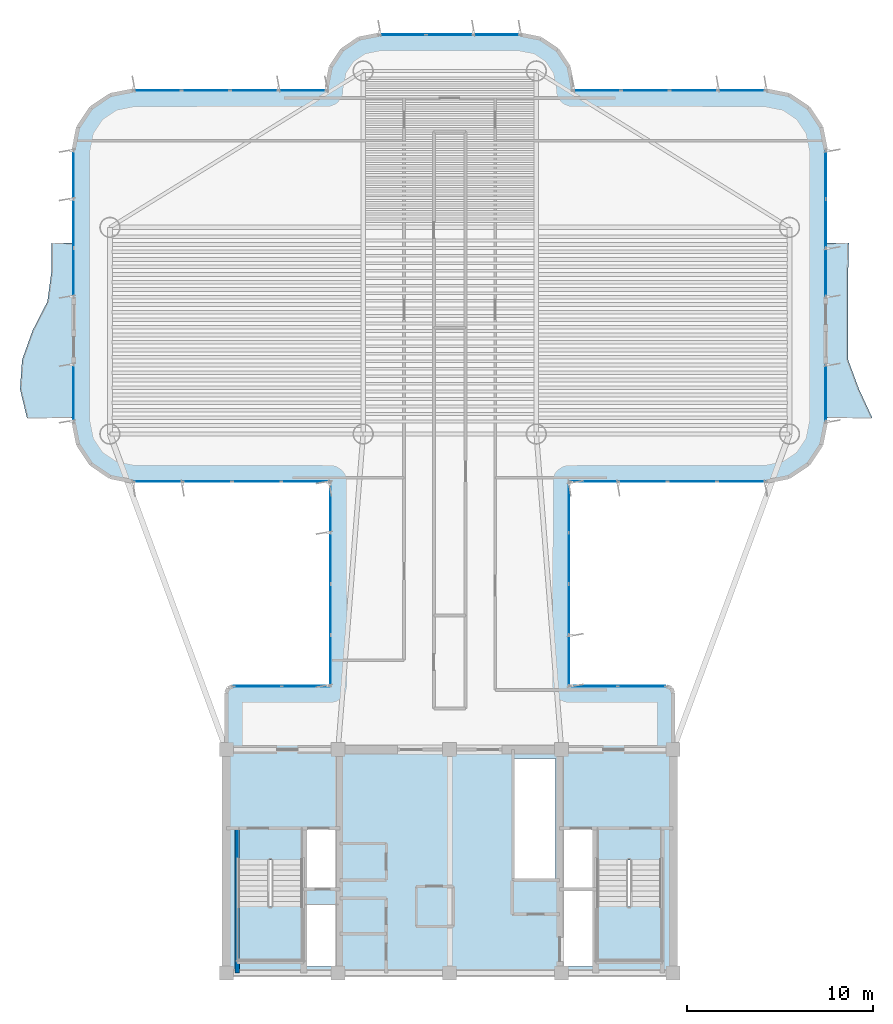
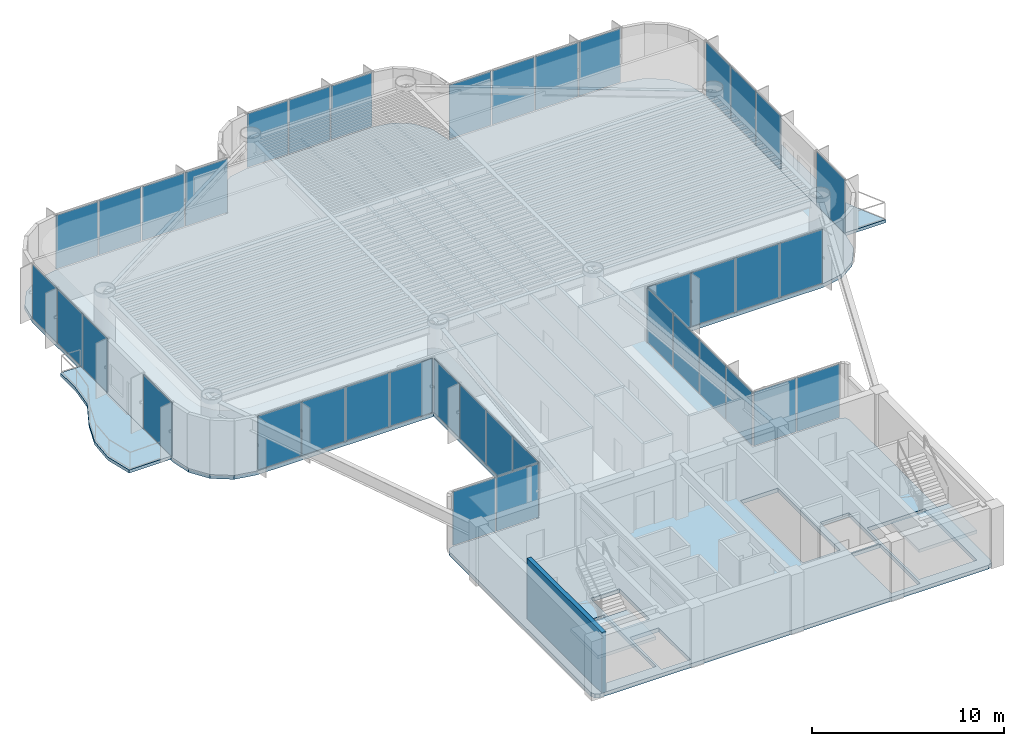
# One storey, part 8 of 13: 39 plates, 5 slabs, 1 wall, 15 elements without a shape of their own.
"""IFC4 building model written with IfcOpenShell, lengths in metres."""

from ifc_helpers import new_model, si_unit, direction, frame, frame_2d, origin, origin_2d, place, context, subcontext, project, spatial, polyline, rectangle, outline, extrude, source, transform, mapped, material, layer, layer_set, type_object, element, aggregate, save


model = new_model("IFC4")

# Units and contexts
model_context = context("Model", 3, precision=1e-05, world=origin(), true_north=direction((0.0, 1.0)))
body_context = subcontext(model_context, "Body", "Model", "MODEL_VIEW")
ifc_project = project(units=[si_unit("LENGTHUNIT", "METRE"), si_unit("AREAUNIT", "SQUARE_METRE"), si_unit("VOLUMEUNIT", "CUBIC_METRE"), si_unit("PLANEANGLEUNIT", "RADIAN"), si_unit("MASSUNIT", "GRAM", prefix="KILO")], contexts=[model_context])

# Site, building, storey
site_placement = place(None, origin())
site = spatial("IfcSite", under=ifc_project, at=site_placement, CompositionType="ELEMENT")
building_placement = place(site_placement, origin())
building = spatial("IfcBuilding", under=site, at=building_placement, Name="Brelvock Crest Care Tower", CompositionType="ELEMENT")
storey_placement = place(building_placement, frame((0.0, 0.0, 190.43994140625)))
storey = spatial("IfcBuildingStorey", under=building, at=storey_placement, Name="L48", CompositionType="ELEMENT", Elevation=190.43994140625)

# Slabs
ifc_material_1 = material(Name="Concrete N50 (50 MPa)", Category="concrete")
ifc_layer_1 = layer(ifc_material_1, 0.25, Name="SLB-FL3")
ifc_layer_set_1 = layer_set([ifc_layer_1], Name="Concrete N50 (50 MPa)")
slab_type_1 = type_object("IfcSlabType", Name="SLB-FL3", PredefinedType="FLOOR", material=ifc_layer_set_1)
slab_1_placement = place(storey_placement, frame((0.0, 0.0, -0.25)))
element("IfcSlab", 1, at=slab_1_placement, inside=storey, type_object=slab_type_1, Name="L48 Main Structural Slab", PredefinedType="FLOOR", context=body_context, shape_type="SweptSolid", body=[
    extrude(outline(polyline([(47.64990234375, 21.39990234375), (42.39990234375, 21.39990234375), (42.39990234375, 32.39990234375), (53.0, 32.39990234375), (54.224609375, 32.6435546875), (55.2626953125, 33.33740234375), (55.956298828125, 34.37548828125), (56.199951171875, 35.60009765625), (56.199951171875, 50.199951171875), (55.956298828125, 51.424560546875), (55.2626953125, 52.462646484375), (54.224609375, 53.156494140625), (53.0, 53.39990234375), (42.60009765625, 53.39990234375), (42.60009765625, 53.60009765625), (42.386962890625, 54.67138671875), (41.77978515625, 55.579833984375), (40.87158203125, 56.18701171875), (39.800048828125, 56.39990234375), (32.199951171875, 56.39990234375), (31.12841796875, 56.18701171875), (30.22021484375, 55.579833984375), (29.613037109375, 54.67138671875), (29.39990234375, 53.60009765625), (29.39990234375, 53.39990234375), (19.0, 53.39990234375), (17.775390625, 53.156494140625), (16.7373046875, 52.462646484375), (16.043701171875, 51.424560546875), (15.800048828125, 50.199951171875), (15.800048828125, 35.60009765625), (16.043701171875, 34.37548828125), (16.7373046875, 33.33740234375), (17.775390625, 32.6435546875), (19.0, 32.39990234375), (29.60009765625, 32.39990234375), (29.60009765625, 21.39990234375), (24.35009765625, 21.39990234375), (24.1025390625, 21.297607421875), (24.0, 21.050048828125), (24.0, 6.35009765625), (24.1025390625, 6.1025390625), (24.35009765625, 6.0), (47.64990234375, 6.0), (47.8974609375, 6.1025390625), (48.0, 6.35009765625), (48.0, 21.050048828125), (47.8974609375, 21.297607421875), (47.64990234375, 21.39990234375)]), holes=[polyline([(28.239990234375, 10.580078125), (29.97998046875, 10.580078125), (29.97998046875, 13.739990234375), (28.239990234375, 13.739990234375), (28.239990234375, 10.580078125)]), polyline([(42.02001953125, 10.580078125), (43.760009765625, 10.580078125), (43.760009765625, 13.739990234375), (42.02001953125, 13.739990234375), (42.02001953125, 10.580078125)]), polyline([(28.239990234375, 6.340087890625), (29.97998046875, 6.340087890625), (29.97998046875, 9.64990234375), (28.239990234375, 9.64990234375), (28.239990234375, 6.340087890625)]), polyline([(24.6298828125, 12.080078125), (24.6298828125, 6.699951171875), (28.110107421875, 6.699951171875), (28.110107421875, 12.080078125), (24.6298828125, 12.080078125)]), polyline([(43.889892578125, 12.080078125), (43.889892578125, 6.699951171875), (47.3701171875, 6.699951171875), (47.3701171875, 12.080078125), (43.889892578125, 12.080078125)]), polyline([(42.02001953125, 6.340087890625), (43.760009765625, 6.340087890625), (43.760009765625, 10.5), (42.02001953125, 10.5), (42.02001953125, 6.340087890625)]), polyline([(39.429931640625, 11.030029296875), (41.669921875, 11.030029296875), (41.669921875, 17.52001953125), (39.429931640625, 17.52001953125), (39.429931640625, 11.030029296875)])]), origin(), (0.0, 0.0, 1.0), 0.25),
])
ifc_layer_2 = layer(ifc_material_1, 0.199951171875, Name="SLB-WB2")
ifc_layer_set_2 = layer_set([ifc_layer_2], Name="Concrete N50 (50 MPa)")
slab_type_2 = type_object("IfcSlabType", Name="SLB-WB2", PredefinedType="FLOOR", material=ifc_layer_set_2)
slab_2_placement = place(storey_placement, frame((0.0, 0.0, -0.199951171875)))
element("IfcSlab", 2, at=slab_2_placement, inside=storey, type_object=slab_type_2, Name="L48 W Sinusoidal Wave Balcony Slab", PredefinedType="FLOOR", context=body_context, shape_type="SweptSolid", body=[
    extrude(outline(polyline([(15.800048828125, 45.199951171875), (14.60009765625, 45.199951171875), (14.60009765625, 43.63330078125), (14.39111328125, 42.066650390625), (13.59033203125, 40.5), (13.031494140625, 38.933349609375), (12.91943359375, 37.36669921875), (13.29541015625, 35.800048828125), (15.800048828125, 35.800048828125), (15.800048828125, 45.199951171875)])), origin(), (0.0, 0.0, 1.0), 0.199951171875),
])
slab_3_placement = place(storey_placement, frame((0.0, 0.0, -0.199951171875)))
element("IfcSlab", 3, at=slab_3_placement, inside=storey, type_object=slab_type_2, Name="L48 E Sinusoidal Wave Balcony Slab", PredefinedType="FLOOR", context=body_context, shape_type="SweptSolid", body=[
    extrude(outline(polyline([(56.199951171875, 35.800048828125), (58.70458984375, 35.800048828125), (57.978515625, 37.36669921875), (57.39990234375, 38.933349609375), (57.39990234375, 40.5), (57.39990234375, 42.066650390625), (57.39990234375, 43.63330078125), (57.434814453125, 45.199951171875), (56.199951171875, 45.199951171875), (56.199951171875, 35.800048828125)])), origin(), (0.0, 0.0, 1.0), 0.199951171875),
])

# Stair, slab
ifc_material_2 = material(Name="Concrete N40 (40 MPa)", Category="concrete")
stair_type = type_object("IfcStairType", Name="ST-CORE1", PredefinedType="HALF_TURN_STAIR", material=ifc_material_2)
stair_1_placement = place(storey_placement, origin())
stair_1 = element("IfcStair", 4, at=stair_1_placement, inside=storey, type_object=stair_type, Name="L48 Fire-Isolated Core Stair ST-1", PredefinedType="HALF_TURN_STAIR")
ifc_layer_3 = layer(ifc_material_2, 0.199951171875, Name="STL-1")
ifc_layer_set_3 = layer_set([ifc_layer_3], Name="Concrete N40 (40 MPa)")
slab_type_3 = type_object("IfcSlabType", Name="STL-1", PredefinedType="LANDING", material=ifc_layer_set_3)
slab_4_placement = place(storey_placement, frame((0.0, 0.0, 1.68994140625)))
slab_4 = element("IfcSlab", 5, at=slab_4_placement, type_object=slab_type_3, Name="ST-1 landing 1", PredefinedType="LANDING", context=body_context, shape_type="SweptSolid", body=[
    extrude(outline(polyline([(24.6298828125, 9.56005859375), (24.6298828125, 6.699951171875), (28.110107421875, 6.699951171875), (28.110107421875, 9.56005859375), (24.6298828125, 9.56005859375)])), origin(), (0.0, 0.0, 1.0), 0.2001953125),
])
aggregate(stair_1, [slab_4])

stair_2_placement = place(storey_placement, origin())
stair_2 = element("IfcStair", 6, at=stair_2_placement, inside=storey, type_object=stair_type, Name="L48 Fire-Isolated Core Stair ST-2", PredefinedType="HALF_TURN_STAIR")
slab_5_placement = place(storey_placement, frame((0.0, 0.0, 1.68994140625)))
slab_5 = element("IfcSlab", 7, at=slab_5_placement, type_object=slab_type_3, Name="ST-2 landing 1", PredefinedType="LANDING", context=body_context, shape_type="SweptSolid", body=[
    extrude(outline(polyline([(43.889892578125, 9.56005859375), (43.889892578125, 6.699951171875), (47.3701171875, 6.699951171875), (47.3701171875, 9.56005859375), (43.889892578125, 9.56005859375)])), origin(), (0.0, 0.0, 1.0), 0.2001953125),
])
aggregate(stair_2, [slab_5])

# Curtain wall, plates
ifc_material_3 = material(Name="Dark Glass Double Glazed Low-E", Category="glass")
ifc_layer_4 = layer(ifc_material_3, 0.22509765625, Name="CWS-4")
ifc_layer_set_4 = layer_set([ifc_layer_4], Name="Dark Glass Double Glazed Low-E")
curtain_wall_type = type_object("IfcCurtainWallType", Name="CWS-4", PredefinedType="NOTDEFINED", material=ifc_layer_set_4)
curtain_wall_1_placement = place(storey_placement, origin())
curtain_wall_1 = element("IfcCurtainWall", 8, at=curtain_wall_1_placement, inside=storey, type_object=curtain_wall_type, Name="L48 Curtain Wall E10", PredefinedType="NOTDEFINED")
ifc_layer_5 = layer(ifc_material_3, 0.0380859375, Name="CWP-V2")
ifc_layer_set_5 = layer_set([ifc_layer_5], Name="Dark Glass Double Glazed Low-E")
plate_type = type_object("IfcPlateType", Name="CWP-V2", PredefinedType="CURTAIN_PANEL", material=ifc_layer_set_5)
shared_shape_1 = source(origin(), body_context, "Body", "SweptSolid", [
    extrude(rectangle(XDim=2.534912109375, YDim=0.035888671875, at=origin_2d()), origin(), (0.0, 0.0, 1.0), 3.409912109375),
])
plate_1_placement = place(storey_placement, frame((25.677490234375, 21.39990234375, 0.06005859375), z_axis=(0.0, 0.0, 1.0), x_axis=(1.0, 0.0, 0.0)))
plate_1 = element("IfcPlate", 9, at=plate_1_placement, type_object=plate_type, Name="CW-4 panel 1.1", PredefinedType="CURTAIN_PANEL", context=body_context, shape_type="MappedRepresentation", body=[
    mapped(shared_shape_1, transform((0.0, 0.0, 0.0), x_axis=(1.0, 0.0, 0.0), y_axis=(0.0, 1.0, 0.0), z_axis=(0.0, 0.0, 1.0), scale=1.0)),
])
plate_2_placement = place(storey_placement, frame((28.2724609375, 21.39990234375, 0.06005859375), z_axis=(0.0, 0.0, 1.0), x_axis=(1.0, 0.0, 0.0)))
plate_2 = element("IfcPlate", 10, at=plate_2_placement, type_object=plate_type, Name="CW-4 panel 2.1", PredefinedType="CURTAIN_PANEL", context=body_context, shape_type="MappedRepresentation", body=[
    mapped(shared_shape_1, transform((0.0, 0.0, 0.0), x_axis=(1.0, 0.0, 0.0), y_axis=(0.0, 1.0, 0.0), z_axis=(0.0, 0.0, 1.0), scale=1.0)),
])
aggregate(curtain_wall_1, [plate_1, plate_2])

curtain_wall_2_placement = place(storey_placement, origin())
curtain_wall_2 = element("IfcCurtainWall", 11, at=curtain_wall_2_placement, inside=storey, type_object=curtain_wall_type, Name="L48 Curtain Wall E46", PredefinedType="NOTDEFINED")
plate_3_placement = place(storey_placement, frame((43.7275390625, 21.39990234375, 0.06005859375), z_axis=(0.0, 0.0, 1.0), x_axis=(1.0, 0.0, 0.0)))
plate_3 = element("IfcPlate", 12, at=plate_3_placement, type_object=plate_type, Name="CW-4 panel 1.1", PredefinedType="CURTAIN_PANEL", context=body_context, shape_type="MappedRepresentation", body=[
    mapped(shared_shape_1, transform((0.0, 0.0, 0.0), x_axis=(1.0, 0.0, 0.0), y_axis=(0.0, 1.0, 0.0), z_axis=(0.0, 0.0, 1.0), scale=1.0)),
])
plate_4_placement = place(storey_placement, frame((46.322509765625, 21.39990234375, 0.06005859375), z_axis=(0.0, 0.0, 1.0), x_axis=(1.0, 0.0, 0.0)))
plate_4 = element("IfcPlate", 13, at=plate_4_placement, type_object=plate_type, Name="CW-4 panel 2.1", PredefinedType="CURTAIN_PANEL", context=body_context, shape_type="MappedRepresentation", body=[
    mapped(shared_shape_1, transform((0.0, 0.0, 0.0), x_axis=(1.0, 0.0, 0.0), y_axis=(0.0, 1.0, 0.0), z_axis=(0.0, 0.0, 1.0), scale=1.0)),
])
aggregate(curtain_wall_2, [plate_3, plate_4])

curtain_wall_3_placement = place(storey_placement, origin())
curtain_wall_3 = element("IfcCurtainWall", 14, at=curtain_wall_3_placement, inside=storey, type_object=curtain_wall_type, Name="L48 Curtain Wall E11", PredefinedType="NOTDEFINED")
shared_shape_2 = source(origin(), body_context, "Body", "SweptSolid", [
    extrude(rectangle(XDim=2.659912109375, YDim=0.035888671875, at=origin_2d()), origin(), (0.0, 0.0, 1.0), 3.409912109375),
])
plate_5_placement = place(storey_placement, frame((29.60009765625, 22.7900390625, 0.06005859375), z_axis=(0.0, 0.0, 1.0), x_axis=(0.0, 1.0, 0.0)))
plate_5 = element("IfcPlate", 15, at=plate_5_placement, type_object=plate_type, Name="CW-4 panel 1.1", PredefinedType="CURTAIN_PANEL", context=body_context, shape_type="MappedRepresentation", body=[
    mapped(shared_shape_2, transform((0.0, 0.0, 0.0), x_axis=(1.0, 0.0, 0.0), y_axis=(0.0, 1.0, 0.0), z_axis=(0.0, 0.0, 1.0), scale=1.0)),
])
plate_6_placement = place(storey_placement, frame((29.60009765625, 31.010009765625, 0.06005859375), z_axis=(0.0, 0.0, 1.0), x_axis=(0.0, 1.0, 0.0)))
plate_6 = element("IfcPlate", 16, at=plate_6_placement, type_object=plate_type, Name="CW-4 panel 4.1", PredefinedType="CURTAIN_PANEL", context=body_context, shape_type="MappedRepresentation", body=[
    mapped(shared_shape_2, transform((0.0, 0.0, 0.0), x_axis=(1.0, 0.0, 0.0), y_axis=(0.0, 1.0, 0.0), z_axis=(0.0, 0.0, 1.0), scale=1.0)),
])

curtain_wall_4_placement = place(storey_placement, origin())
curtain_wall_4 = element("IfcCurtainWall", 17, at=curtain_wall_4_placement, inside=storey, type_object=curtain_wall_type, Name="L48 Curtain Wall E45", PredefinedType="NOTDEFINED")
plate_7_placement = place(storey_placement, frame((42.39990234375, 31.010009765625, 0.06005859375), z_axis=(0.0, 0.0, 1.0), x_axis=(0.0, -1.0, 0.0)))
plate_7 = element("IfcPlate", 18, at=plate_7_placement, type_object=plate_type, Name="CW-4 panel 1.1", PredefinedType="CURTAIN_PANEL", context=body_context, shape_type="MappedRepresentation", body=[
    mapped(shared_shape_2, transform((0.0, 0.0, 0.0), x_axis=(1.0, 0.0, 0.0), y_axis=(0.0, 1.0, 0.0), z_axis=(0.0, 0.0, 1.0), scale=1.0)),
])
plate_8_placement = place(storey_placement, frame((42.39990234375, 22.7900390625, 0.06005859375), z_axis=(0.0, 0.0, 1.0), x_axis=(0.0, -1.0, 0.0)))
plate_8 = element("IfcPlate", 19, at=plate_8_placement, type_object=plate_type, Name="CW-4 panel 4.1", PredefinedType="CURTAIN_PANEL", context=body_context, shape_type="MappedRepresentation", body=[
    mapped(shared_shape_2, transform((0.0, 0.0, 0.0), x_axis=(1.0, 0.0, 0.0), y_axis=(0.0, 1.0, 0.0), z_axis=(0.0, 0.0, 1.0), scale=1.0)),
])

# Plate
shared_shape_3 = source(origin(), body_context, "Body", "SweptSolid", [
    extrude(rectangle(XDim=2.68994140625, YDim=0.035888671875, at=origin_2d()), origin(), (0.0, 0.0, 1.0), 3.409912109375),
])
plate_9_placement = place(storey_placement, frame((29.60009765625, 25.52490234375, 0.06005859375), z_axis=(0.0, 0.0, 1.0), x_axis=(0.0, 1.0, 0.0)))
plate_9 = element("IfcPlate", 20, at=plate_9_placement, type_object=plate_type, Name="CW-4 panel 2.1", PredefinedType="CURTAIN_PANEL", context=body_context, shape_type="MappedRepresentation", body=[
    mapped(shared_shape_3, transform((0.0, 0.0, 0.0), x_axis=(1.0, 0.0, 0.0), y_axis=(0.0, 1.0, 0.0), z_axis=(0.0, 0.0, 1.0), scale=1.0)),
])

plate_10_placement = place(storey_placement, frame((29.60009765625, 28.27490234375, 0.06005859375), z_axis=(0.0, 0.0, 1.0), x_axis=(0.0, 1.0, 0.0)))
plate_10 = element("IfcPlate", 21, at=plate_10_placement, type_object=plate_type, Name="CW-4 panel 3.1", PredefinedType="CURTAIN_PANEL", context=body_context, shape_type="MappedRepresentation", body=[
    mapped(shared_shape_3, transform((0.0, 0.0, 0.0), x_axis=(1.0, 0.0, 0.0), y_axis=(0.0, 1.0, 0.0), z_axis=(0.0, 0.0, 1.0), scale=1.0)),
])

aggregate(curtain_wall_3, [plate_5, plate_9, plate_10, plate_6])

plate_11_placement = place(storey_placement, frame((42.39990234375, 28.27490234375, 0.06005859375), z_axis=(0.0, 0.0, 1.0), x_axis=(0.0, -1.0, 0.0)))
plate_11 = element("IfcPlate", 22, at=plate_11_placement, type_object=plate_type, Name="CW-4 panel 2.1", PredefinedType="CURTAIN_PANEL", context=body_context, shape_type="MappedRepresentation", body=[
    mapped(shared_shape_3, transform((0.0, 0.0, 0.0), x_axis=(1.0, 0.0, 0.0), y_axis=(0.0, 1.0, 0.0), z_axis=(0.0, 0.0, 1.0), scale=1.0)),
])

plate_12_placement = place(storey_placement, frame((42.39990234375, 25.52490234375, 0.06005859375), z_axis=(0.0, 0.0, 1.0), x_axis=(0.0, -1.0, 0.0)))
plate_12 = element("IfcPlate", 23, at=plate_12_placement, type_object=plate_type, Name="CW-4 panel 3.1", PredefinedType="CURTAIN_PANEL", context=body_context, shape_type="MappedRepresentation", body=[
    mapped(shared_shape_3, transform((0.0, 0.0, 0.0), x_axis=(1.0, 0.0, 0.0), y_axis=(0.0, 1.0, 0.0), z_axis=(0.0, 0.0, 1.0), scale=1.0)),
])

aggregate(curtain_wall_4, [plate_7, plate_11, plate_12, plate_8])

# Curtain wall, plates
curtain_wall_5_placement = place(storey_placement, origin())
curtain_wall_5 = element("IfcCurtainWall", 24, at=curtain_wall_5_placement, inside=storey, type_object=curtain_wall_type, Name="L48 Curtain Wall E12", PredefinedType="NOTDEFINED")
shared_shape_4 = source(origin(), body_context, "Body", "SweptSolid", [
    extrude(rectangle(XDim=2.56005859375, YDim=0.035888671875, at=origin_2d()), origin(), (0.0, 0.0, 1.0), 3.409912109375),
])
plate_13_placement = place(storey_placement, frame((28.260009765625, 32.39990234375, 0.06005859375), z_axis=(0.0, 0.0, 1.0), x_axis=(-1.0, 0.0, 0.0)))
plate_13 = element("IfcPlate", 25, at=plate_13_placement, type_object=plate_type, Name="CW-4 panel 1.1", PredefinedType="CURTAIN_PANEL", context=body_context, shape_type="MappedRepresentation", body=[
    mapped(shared_shape_4, transform((0.0, 0.0, 0.0), x_axis=(1.0, 0.0, 0.0), y_axis=(0.0, 1.0, 0.0), z_axis=(0.0, 0.0, 1.0), scale=1.0)),
])
plate_14_placement = place(storey_placement, frame((20.340087890625, 32.39990234375, 0.06005859375), z_axis=(0.0, 0.0, 1.0), x_axis=(-1.0, 0.0, 0.0)))
plate_14 = element("IfcPlate", 26, at=plate_14_placement, type_object=plate_type, Name="CW-4 panel 4.1", PredefinedType="CURTAIN_PANEL", context=body_context, shape_type="MappedRepresentation", body=[
    mapped(shared_shape_4, transform((0.0, 0.0, 0.0), x_axis=(1.0, 0.0, 0.0), y_axis=(0.0, 1.0, 0.0), z_axis=(0.0, 0.0, 1.0), scale=1.0)),
])

curtain_wall_6_placement = place(storey_placement, origin())
curtain_wall_6 = element("IfcCurtainWall", 27, at=curtain_wall_6_placement, inside=storey, type_object=curtain_wall_type, Name="L48 Curtain Wall E44", PredefinedType="NOTDEFINED")
plate_15_placement = place(storey_placement, frame((51.659912109375, 32.39990234375, 0.06005859375), z_axis=(0.0, 0.0, 1.0), x_axis=(-1.0, 0.0, 0.0)))
plate_15 = element("IfcPlate", 28, at=plate_15_placement, type_object=plate_type, Name="CW-4 panel 1.1", PredefinedType="CURTAIN_PANEL", context=body_context, shape_type="MappedRepresentation", body=[
    mapped(shared_shape_4, transform((0.0, 0.0, 0.0), x_axis=(1.0, 0.0, 0.0), y_axis=(0.0, 1.0, 0.0), z_axis=(0.0, 0.0, 1.0), scale=1.0)),
])
plate_16_placement = place(storey_placement, frame((43.739990234375, 32.39990234375, 0.06005859375), z_axis=(0.0, 0.0, 1.0), x_axis=(-1.0, 0.0, 0.0)))
plate_16 = element("IfcPlate", 29, at=plate_16_placement, type_object=plate_type, Name="CW-4 panel 4.1", PredefinedType="CURTAIN_PANEL", context=body_context, shape_type="MappedRepresentation", body=[
    mapped(shared_shape_4, transform((0.0, 0.0, 0.0), x_axis=(1.0, 0.0, 0.0), y_axis=(0.0, 1.0, 0.0), z_axis=(0.0, 0.0, 1.0), scale=1.0)),
])

# Plate
shared_shape_5 = source(origin(), body_context, "Body", "SweptSolid", [
    extrude(rectangle(XDim=2.590087890625, YDim=0.035888671875, at=origin_2d()), origin(), (0.0, 0.0, 1.0), 3.409912109375),
])
plate_17_placement = place(storey_placement, frame((25.625, 32.39990234375, 0.06005859375), z_axis=(0.0, 0.0, 1.0), x_axis=(-1.0, 0.0, 0.0)))
plate_17 = element("IfcPlate", 30, at=plate_17_placement, type_object=plate_type, Name="CW-4 panel 2.1", PredefinedType="CURTAIN_PANEL", context=body_context, shape_type="MappedRepresentation", body=[
    mapped(shared_shape_5, transform((0.0, 0.0, 0.0), x_axis=(1.0, 0.0, 0.0), y_axis=(0.0, 1.0, 0.0), z_axis=(0.0, 0.0, 1.0), scale=1.0)),
])

plate_18_placement = place(storey_placement, frame((22.97509765625, 32.39990234375, 0.06005859375), z_axis=(0.0, 0.0, 1.0), x_axis=(-1.0, 0.0, 0.0)))
plate_18 = element("IfcPlate", 31, at=plate_18_placement, type_object=plate_type, Name="CW-4 panel 3.1", PredefinedType="CURTAIN_PANEL", context=body_context, shape_type="MappedRepresentation", body=[
    mapped(shared_shape_5, transform((0.0, 0.0, 0.0), x_axis=(1.0, 0.0, 0.0), y_axis=(0.0, 1.0, 0.0), z_axis=(0.0, 0.0, 1.0), scale=1.0)),
])

aggregate(curtain_wall_5, [plate_13, plate_17, plate_18, plate_14])

plate_19_placement = place(storey_placement, frame((49.02490234375, 32.39990234375, 0.06005859375), z_axis=(0.0, 0.0, 1.0), x_axis=(-1.0, 0.0, 0.0)))
plate_19 = element("IfcPlate", 32, at=plate_19_placement, type_object=plate_type, Name="CW-4 panel 2.1", PredefinedType="CURTAIN_PANEL", context=body_context, shape_type="MappedRepresentation", body=[
    mapped(shared_shape_5, transform((0.0, 0.0, 0.0), x_axis=(1.0, 0.0, 0.0), y_axis=(0.0, 1.0, 0.0), z_axis=(0.0, 0.0, 1.0), scale=1.0)),
])

plate_20_placement = place(storey_placement, frame((46.375, 32.39990234375, 0.06005859375), z_axis=(0.0, 0.0, 1.0), x_axis=(-1.0, 0.0, 0.0)))
plate_20 = element("IfcPlate", 33, at=plate_20_placement, type_object=plate_type, Name="CW-4 panel 3.1", PredefinedType="CURTAIN_PANEL", context=body_context, shape_type="MappedRepresentation", body=[
    mapped(shared_shape_5, transform((0.0, 0.0, 0.0), x_axis=(1.0, 0.0, 0.0), y_axis=(0.0, 1.0, 0.0), z_axis=(0.0, 0.0, 1.0), scale=1.0)),
])

aggregate(curtain_wall_6, [plate_15, plate_19, plate_20, plate_16])

# Curtain wall, plates
curtain_wall_7_placement = place(storey_placement, origin())
curtain_wall_7 = element("IfcCurtainWall", 34, at=curtain_wall_7_placement, inside=storey, type_object=curtain_wall_type, Name="L48 Curtain Wall E22", PredefinedType="NOTDEFINED")
shared_shape_6 = source(origin(), body_context, "Body", "SweptSolid", [
    extrude(rectangle(XDim=2.510009765625, YDim=0.035888671875, at=origin_2d()), origin(), (0.0, 0.0, 1.0), 3.409912109375),
])
plate_21_placement = place(storey_placement, frame((20.31494140625, 53.39990234375, 0.06005859375), z_axis=(0.0, 0.0, 1.0), x_axis=(1.0, 0.0, 0.0)))
plate_21 = element("IfcPlate", 35, at=plate_21_placement, type_object=plate_type, Name="CW-4 panel 1.1", PredefinedType="CURTAIN_PANEL", context=body_context, shape_type="MappedRepresentation", body=[
    mapped(shared_shape_6, transform((0.0, 0.0, 0.0), x_axis=(1.0, 0.0, 0.0), y_axis=(0.0, 1.0, 0.0), z_axis=(0.0, 0.0, 1.0), scale=1.0)),
])
plate_22_placement = place(storey_placement, frame((28.0849609375, 53.39990234375, 0.06005859375), z_axis=(0.0, 0.0, 1.0), x_axis=(1.0, 0.0, 0.0)))
plate_22 = element("IfcPlate", 36, at=plate_22_placement, type_object=plate_type, Name="CW-4 panel 4.1", PredefinedType="CURTAIN_PANEL", context=body_context, shape_type="MappedRepresentation", body=[
    mapped(shared_shape_6, transform((0.0, 0.0, 0.0), x_axis=(1.0, 0.0, 0.0), y_axis=(0.0, 1.0, 0.0), z_axis=(0.0, 0.0, 1.0), scale=1.0)),
])

curtain_wall_8_placement = place(storey_placement, origin())
curtain_wall_8 = element("IfcCurtainWall", 37, at=curtain_wall_8_placement, inside=storey, type_object=curtain_wall_type, Name="L48 Curtain Wall E34", PredefinedType="NOTDEFINED")
plate_23_placement = place(storey_placement, frame((43.9150390625, 53.39990234375, 0.06005859375), z_axis=(0.0, 0.0, 1.0), x_axis=(1.0, 0.0, 0.0)))
plate_23 = element("IfcPlate", 38, at=plate_23_placement, type_object=plate_type, Name="CW-4 panel 1.1", PredefinedType="CURTAIN_PANEL", context=body_context, shape_type="MappedRepresentation", body=[
    mapped(shared_shape_6, transform((0.0, 0.0, 0.0), x_axis=(1.0, 0.0, 0.0), y_axis=(0.0, 1.0, 0.0), z_axis=(0.0, 0.0, 1.0), scale=1.0)),
])
plate_24_placement = place(storey_placement, frame((51.68505859375, 53.39990234375, 0.06005859375), z_axis=(0.0, 0.0, 1.0), x_axis=(1.0, 0.0, 0.0)))
plate_24 = element("IfcPlate", 39, at=plate_24_placement, type_object=plate_type, Name="CW-4 panel 4.1", PredefinedType="CURTAIN_PANEL", context=body_context, shape_type="MappedRepresentation", body=[
    mapped(shared_shape_6, transform((0.0, 0.0, 0.0), x_axis=(1.0, 0.0, 0.0), y_axis=(0.0, 1.0, 0.0), z_axis=(0.0, 0.0, 1.0), scale=1.0)),
])

# Plate
shared_shape_7 = source(origin(), body_context, "Body", "SweptSolid", [
    extrude(rectangle(XDim=2.5400390625, YDim=0.035888671875, at=origin_2d()), origin(), (0.0, 0.0, 1.0), 3.409912109375),
])
plate_25_placement = place(storey_placement, frame((22.89990234375, 53.39990234375, 0.06005859375), z_axis=(0.0, 0.0, 1.0), x_axis=(1.0, 0.0, 0.0)))
plate_25 = element("IfcPlate", 40, at=plate_25_placement, type_object=plate_type, Name="CW-4 panel 2.1", PredefinedType="CURTAIN_PANEL", context=body_context, shape_type="MappedRepresentation", body=[
    mapped(shared_shape_7, transform((0.0, 0.0, 0.0), x_axis=(1.0, 0.0, 0.0), y_axis=(0.0, 1.0, 0.0), z_axis=(0.0, 0.0, 1.0), scale=1.0)),
])

plate_26_placement = place(storey_placement, frame((25.5, 53.39990234375, 0.06005859375), z_axis=(0.0, 0.0, 1.0), x_axis=(1.0, 0.0, 0.0)))
plate_26 = element("IfcPlate", 41, at=plate_26_placement, type_object=plate_type, Name="CW-4 panel 3.1", PredefinedType="CURTAIN_PANEL", context=body_context, shape_type="MappedRepresentation", body=[
    mapped(shared_shape_7, transform((0.0, 0.0, 0.0), x_axis=(1.0, 0.0, 0.0), y_axis=(0.0, 1.0, 0.0), z_axis=(0.0, 0.0, 1.0), scale=1.0)),
])

aggregate(curtain_wall_7, [plate_21, plate_25, plate_26, plate_22])

plate_27_placement = place(storey_placement, frame((46.5, 53.39990234375, 0.06005859375), z_axis=(0.0, 0.0, 1.0), x_axis=(1.0, 0.0, 0.0)))
plate_27 = element("IfcPlate", 42, at=plate_27_placement, type_object=plate_type, Name="CW-4 panel 2.1", PredefinedType="CURTAIN_PANEL", context=body_context, shape_type="MappedRepresentation", body=[
    mapped(shared_shape_7, transform((0.0, 0.0, 0.0), x_axis=(1.0, 0.0, 0.0), y_axis=(0.0, 1.0, 0.0), z_axis=(0.0, 0.0, 1.0), scale=1.0)),
])

plate_28_placement = place(storey_placement, frame((49.10009765625, 53.39990234375, 0.06005859375), z_axis=(0.0, 0.0, 1.0), x_axis=(1.0, 0.0, 0.0)))
plate_28 = element("IfcPlate", 43, at=plate_28_placement, type_object=plate_type, Name="CW-4 panel 3.1", PredefinedType="CURTAIN_PANEL", context=body_context, shape_type="MappedRepresentation", body=[
    mapped(shared_shape_7, transform((0.0, 0.0, 0.0), x_axis=(1.0, 0.0, 0.0), y_axis=(0.0, 1.0, 0.0), z_axis=(0.0, 0.0, 1.0), scale=1.0)),
])

aggregate(curtain_wall_8, [plate_23, plate_27, plate_28, plate_24])

# Curtain wall, plates
curtain_wall_9_placement = place(storey_placement, origin())
curtain_wall_9 = element("IfcCurtainWall", 44, at=curtain_wall_9_placement, inside=storey, type_object=curtain_wall_type, Name="L48 Curtain Wall E28", PredefinedType="NOTDEFINED")
shared_shape_8 = source(origin(), body_context, "Body", "SweptSolid", [
    extrude(rectangle(XDim=2.443359375, YDim=0.035888671875, at=origin_2d()), origin(), (0.0, 0.0, 1.0), 3.409912109375),
])
plate_29_placement = place(storey_placement, frame((33.481689453125, 56.39990234375, 0.06005859375), z_axis=(0.0, 0.0, 1.0), x_axis=(1.0, 0.0, 0.0)))
plate_29 = element("IfcPlate", 45, at=plate_29_placement, type_object=plate_type, Name="CW-4 panel 1.1", PredefinedType="CURTAIN_PANEL", context=body_context, shape_type="MappedRepresentation", body=[
    mapped(shared_shape_8, transform((0.0, 0.0, 0.0), x_axis=(1.0, 0.0, 0.0), y_axis=(0.0, 1.0, 0.0), z_axis=(0.0, 0.0, 1.0), scale=1.0)),
])
plate_30_placement = place(storey_placement, frame((38.518310546875, 56.39990234375, 0.06005859375), z_axis=(0.0, 0.0, 1.0), x_axis=(1.0, 0.0, 0.0)))
plate_30 = element("IfcPlate", 46, at=plate_30_placement, type_object=plate_type, Name="CW-4 panel 3.1", PredefinedType="CURTAIN_PANEL", context=body_context, shape_type="MappedRepresentation", body=[
    mapped(shared_shape_8, transform((0.0, 0.0, 0.0), x_axis=(1.0, 0.0, 0.0), y_axis=(0.0, 1.0, 0.0), z_axis=(0.0, 0.0, 1.0), scale=1.0)),
])
shared_shape_9 = source(origin(), body_context, "Body", "SweptSolid", [
    extrude(rectangle(XDim=2.473388671875, YDim=0.035888671875, at=origin_2d()), origin(), (0.0, 0.0, 1.0), 3.409912109375),
])
plate_31_placement = place(storey_placement, frame((36.0, 56.39990234375, 0.06005859375), z_axis=(0.0, 0.0, 1.0), x_axis=(1.0, 0.0, 0.0)))
plate_31 = element("IfcPlate", 47, at=plate_31_placement, type_object=plate_type, Name="CW-4 panel 2.1", PredefinedType="CURTAIN_PANEL", context=body_context, shape_type="MappedRepresentation", body=[
    mapped(shared_shape_9, transform((0.0, 0.0, 0.0), x_axis=(1.0, 0.0, 0.0), y_axis=(0.0, 1.0, 0.0), z_axis=(0.0, 0.0, 1.0), scale=1.0)),
])
aggregate(curtain_wall_9, [plate_29, plate_31, plate_30])

# Curtain wall, plate
curtain_wall_10_placement = place(storey_placement, origin())
curtain_wall_10 = element("IfcCurtainWall", 48, at=curtain_wall_10_placement, inside=storey, type_object=curtain_wall_type, Name="L48 Curtain Wall E17A", PredefinedType="NOTDEFINED")
shared_shape_10 = source(origin(), body_context, "Body", "SweptSolid", [
    extrude(rectangle(XDim=2.97998046875, YDim=0.035888671875, at=origin_2d()), origin(), (0.0, 0.0, 1.0), 3.409912109375),
])
plate_32_placement = place(storey_placement, frame((15.800048828125, 37.14990234375, 0.06005859375), z_axis=(0.0, 0.0, 1.0), x_axis=(0.0, 1.0, 0.0)))
plate_32 = element("IfcPlate", 49, at=plate_32_placement, type_object=plate_type, Name="CW-4 panel 1.1", PredefinedType="CURTAIN_PANEL", context=body_context, shape_type="MappedRepresentation", body=[
    mapped(shared_shape_10, transform((0.0, 0.0, 0.0), x_axis=(1.0, 0.0, 0.0), y_axis=(0.0, 1.0, 0.0), z_axis=(0.0, 0.0, 1.0), scale=1.0)),
])
aggregate(curtain_wall_10, [plate_32])

curtain_wall_11_placement = place(storey_placement, origin())
curtain_wall_11 = element("IfcCurtainWall", 50, at=curtain_wall_11_placement, inside=storey, type_object=curtain_wall_type, Name="L48 Curtain Wall E39B", PredefinedType="NOTDEFINED")
plate_33_placement = place(storey_placement, frame((56.199951171875, 37.14990234375, 0.06005859375), z_axis=(0.0, 0.0, 1.0), x_axis=(0.0, -1.0, 0.0)))
plate_33 = element("IfcPlate", 51, at=plate_33_placement, type_object=plate_type, Name="CW-4 panel 1.1", PredefinedType="CURTAIN_PANEL", context=body_context, shape_type="MappedRepresentation", body=[
    mapped(shared_shape_10, transform((0.0, 0.0, 0.0), x_axis=(1.0, 0.0, 0.0), y_axis=(0.0, 1.0, 0.0), z_axis=(0.0, 0.0, 1.0), scale=1.0)),
])
aggregate(curtain_wall_11, [plate_33])

# Curtain wall, plates
curtain_wall_12_placement = place(storey_placement, origin())
curtain_wall_12 = element("IfcCurtainWall", 52, at=curtain_wall_12_placement, inside=storey, type_object=curtain_wall_type, Name="L48 Curtain Wall E17B", PredefinedType="NOTDEFINED")
shared_shape_11 = source(origin(), body_context, "Body", "SweptSolid", [
    extrude(rectangle(XDim=2.543212890625, YDim=0.035888671875, at=origin_2d()), origin(), (0.0, 0.0, 1.0), 3.409912109375),
])
plate_34_placement = place(storey_placement, frame((15.800048828125, 43.631591796875, 0.06005859375), z_axis=(0.0, 0.0, 1.0), x_axis=(0.0, 1.0, 0.0)))
plate_34 = element("IfcPlate", 53, at=plate_34_placement, type_object=plate_type, Name="CW-4 panel 1.1", PredefinedType="CURTAIN_PANEL", context=body_context, shape_type="MappedRepresentation", body=[
    mapped(shared_shape_11, transform((0.0, 0.0, 0.0), x_axis=(1.0, 0.0, 0.0), y_axis=(0.0, 1.0, 0.0), z_axis=(0.0, 0.0, 1.0), scale=1.0)),
])
plate_35_placement = place(storey_placement, frame((15.800048828125, 48.868408203125, 0.06005859375), z_axis=(0.0, 0.0, 1.0), x_axis=(0.0, 1.0, 0.0)))
plate_35 = element("IfcPlate", 54, at=plate_35_placement, type_object=plate_type, Name="CW-4 panel 3.1", PredefinedType="CURTAIN_PANEL", context=body_context, shape_type="MappedRepresentation", body=[
    mapped(shared_shape_11, transform((0.0, 0.0, 0.0), x_axis=(1.0, 0.0, 0.0), y_axis=(0.0, 1.0, 0.0), z_axis=(0.0, 0.0, 1.0), scale=1.0)),
])

curtain_wall_13_placement = place(storey_placement, origin())
curtain_wall_13 = element("IfcCurtainWall", 55, at=curtain_wall_13_placement, inside=storey, type_object=curtain_wall_type, Name="L48 Curtain Wall E39A", PredefinedType="NOTDEFINED")
plate_36_placement = place(storey_placement, frame((56.199951171875, 48.868408203125, 0.06005859375), z_axis=(0.0, 0.0, 1.0), x_axis=(0.0, -1.0, 0.0)))
plate_36 = element("IfcPlate", 56, at=plate_36_placement, type_object=plate_type, Name="CW-4 panel 1.1", PredefinedType="CURTAIN_PANEL", context=body_context, shape_type="MappedRepresentation", body=[
    mapped(shared_shape_11, transform((0.0, 0.0, 0.0), x_axis=(1.0, 0.0, 0.0), y_axis=(0.0, 1.0, 0.0), z_axis=(0.0, 0.0, 1.0), scale=1.0)),
])
plate_37_placement = place(storey_placement, frame((56.199951171875, 43.631591796875, 0.06005859375), z_axis=(0.0, 0.0, 1.0), x_axis=(0.0, -1.0, 0.0)))
plate_37 = element("IfcPlate", 57, at=plate_37_placement, type_object=plate_type, Name="CW-4 panel 3.1", PredefinedType="CURTAIN_PANEL", context=body_context, shape_type="MappedRepresentation", body=[
    mapped(shared_shape_11, transform((0.0, 0.0, 0.0), x_axis=(1.0, 0.0, 0.0), y_axis=(0.0, 1.0, 0.0), z_axis=(0.0, 0.0, 1.0), scale=1.0)),
])

# Plate
shared_shape_12 = source(origin(), body_context, "Body", "SweptSolid", [
    extrude(rectangle(XDim=2.5732421875, YDim=0.035888671875, at=origin_2d()), origin(), (0.0, 0.0, 1.0), 3.409912109375),
])
plate_38_placement = place(storey_placement, frame((15.800048828125, 46.25, 0.06005859375), z_axis=(0.0, 0.0, 1.0), x_axis=(0.0, 1.0, 0.0)))
plate_38 = element("IfcPlate", 58, at=plate_38_placement, type_object=plate_type, Name="CW-4 panel 2.1", PredefinedType="CURTAIN_PANEL", context=body_context, shape_type="MappedRepresentation", body=[
    mapped(shared_shape_12, transform((0.0, 0.0, 0.0), x_axis=(1.0, 0.0, 0.0), y_axis=(0.0, 1.0, 0.0), z_axis=(0.0, 0.0, 1.0), scale=1.0)),
])

aggregate(curtain_wall_12, [plate_34, plate_38, plate_35])

plate_39_placement = place(storey_placement, frame((56.199951171875, 46.25, 0.06005859375), z_axis=(0.0, 0.0, 1.0), x_axis=(0.0, -1.0, 0.0)))
plate_39 = element("IfcPlate", 59, at=plate_39_placement, type_object=plate_type, Name="CW-4 panel 2.1", PredefinedType="CURTAIN_PANEL", context=body_context, shape_type="MappedRepresentation", body=[
    mapped(shared_shape_12, transform((0.0, 0.0, 0.0), x_axis=(1.0, 0.0, 0.0), y_axis=(0.0, 1.0, 0.0), z_axis=(0.0, 0.0, 1.0), scale=1.0)),
])

aggregate(curtain_wall_13, [plate_36, plate_39, plate_37])

# Wall
ifc_material_4 = material(Name="Concrete S80 (80 MPa)", Category="concrete")
ifc_layer_6 = layer(ifc_material_4, 0.25, Name="WL-CS6")
ifc_layer_set_6 = layer_set([ifc_layer_6], Name="Concrete S80 (80 MPa)")
wall_type = type_object("IfcWallType", Name="WL-CS6", PredefinedType="SHEAR", material=ifc_layer_set_6)
wall_placement = place(storey_placement, frame((24.580078125, 6.0, 0.0), z_axis=(0.0, 0.0, 1.0), x_axis=(0.0, 1.0, 0.0)))
element("IfcWall", 60, at=wall_placement, inside=storey, type_object=wall_type, Name="L48 Core Stair ST-1 West Shear Wall", PredefinedType="SHEAR", context=body_context, shape_type="SweptSolid", body=[
    extrude(rectangle(XDim=7.780029296875, YDim=0.25, at=frame_2d((3.89013671875, 0.0))), origin(), (0.0, 0.0, 1.0), 3.85009765625),
])

save(model, "model.ifc")
